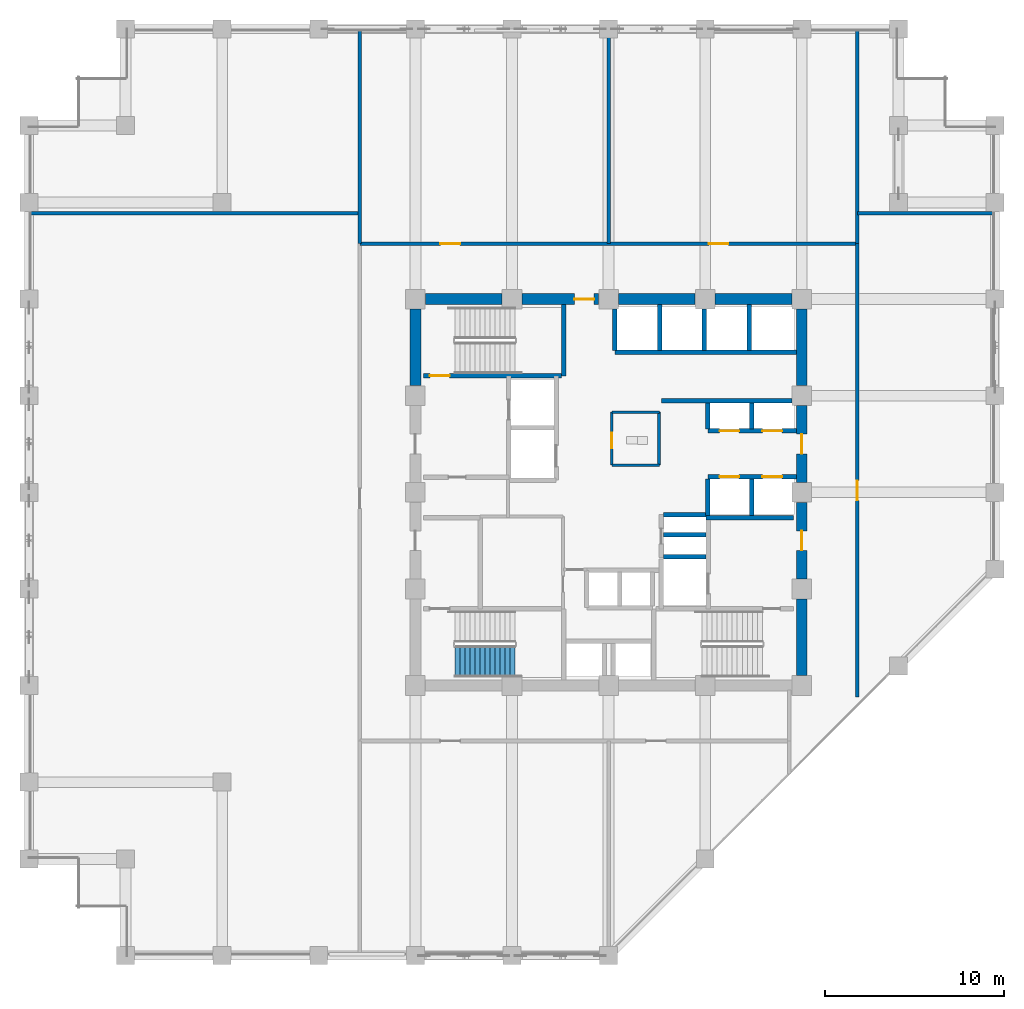
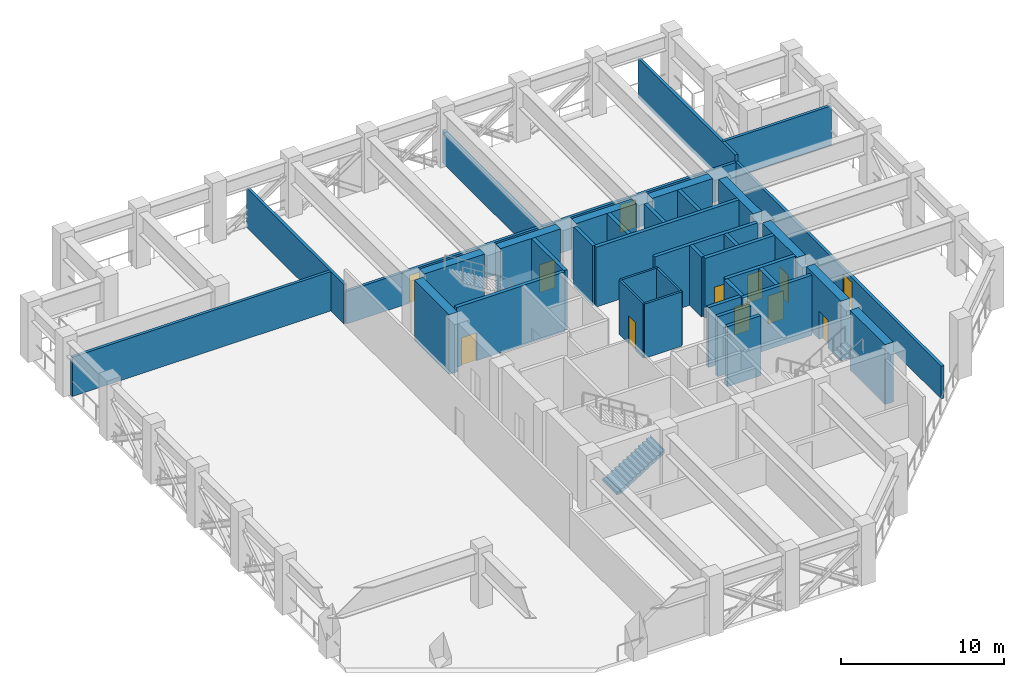
# One storey, part 6 of 12: 38 walls, 12 doors, 1 stair flight, 12 openings, 1 element without a shape of its own.
"""IFC4 building model written with IfcOpenShell, lengths in metres."""

from ifc_helpers import new_model, si_unit, direction, frame, frame_2d, origin, place, context, subcontext, project, spatial, polyline, rectangle, outline, extrude, material, layer, layer_set, type_object, element, fill, aggregate, save


model = new_model("IFC4")

# Units and contexts
model_context = context("Model", 3, precision=1e-05, world=origin(), true_north=direction((0.0, 1.0)))
body_context = subcontext(model_context, "Body", "Model", "MODEL_VIEW")
ifc_project = project(units=[si_unit("LENGTHUNIT", "METRE"), si_unit("AREAUNIT", "SQUARE_METRE"), si_unit("VOLUMEUNIT", "CUBIC_METRE"), si_unit("PLANEANGLEUNIT", "RADIAN"), si_unit("MASSUNIT", "GRAM", prefix="KILO")], contexts=[model_context])

# Site, building, storey
site_placement = place(None, origin())
site = spatial("IfcSite", under=ifc_project, at=site_placement, CompositionType="ELEMENT")
building_placement = place(site_placement, origin())
building = spatial("IfcBuilding", under=site, at=building_placement, Name="Surkhivell Harbour Commons", CompositionType="ELEMENT")
storey_placement = place(building_placement, frame((0.0, 0.0, 166.5)))
storey = spatial("IfcBuildingStorey", under=building, at=storey_placement, Name="L43", CompositionType="ELEMENT", Elevation=166.5)

# Walls
ifc_material_1 = material(Name="Concrete C60/75", Category="concrete")
ifc_layer_1 = layer(ifc_material_1, 0.60009765625)
ifc_layer_set_1 = layer_set([ifc_layer_1], Name="Concrete C60/75")
wall_type_1 = type_object("IfcWallType", Name="WAL-CORE-600", PredefinedType="SHEAR", material=ifc_layer_set_1)
for number, where, z_axis, x_axis, name in (
    (1, (-10.239990234375, 10.800048828125, 0.0), (0.0, 0.0, 1.0), (1.0, 0.0, 0.0), "L43 Core Shear Wall North 1"),
    (2, (10.800048828125, -10.239990234375, 0.0), (0.0, 0.0, 1.0), (0.0, 1.0, 0.0), "L43 Core Shear Wall East 1"),
):
    element("IfcWall", number, at=place(storey_placement, frame(where, z_axis=z_axis, x_axis=x_axis)), inside=storey, type_object=wall_type_1, Name=name, PredefinedType="SHEAR", context=body_context, shape_type="SweptSolid", body=[
        extrude(rectangle(XDim=4.280029296875, YDim=0.60009765625, at=frame_2d((2.14013671875, 0.0))), origin(), (0.0, 0.0, 1.0), 4.5),
    ])

# Wall, opening, door
wall_1_placement = place(storey_placement, frame((-4.840087890625, 10.800048828125, 0.0), z_axis=(0.0, 0.0, 1.0), x_axis=(1.0, 0.0, 0.0)))
wall_1 = element("IfcWall", 3, at=wall_1_placement, inside=storey, type_object=wall_type_1, Name="L43 Core Shear Wall North 2", PredefinedType="SHEAR", context=body_context, shape_type="SweptSolid", body=[
    extrude(rectangle(XDim=4.280029296875, YDim=0.60009765625, at=frame_2d((2.14013671875, 0.0))), origin(), (0.0, 0.0, 1.0), 4.5),
])
opening_1_placement = place(wall_1_placement, frame((2.929931640625, 0.0, 0.0)))
opening_1 = element("IfcOpeningElement", 4, at=opening_1_placement, cuts=wall_1, Name="Opening ID-2", PredefinedType="OPENING", context=body_context, shape_type="SweptSolid", body=[
    extrude(rectangle(XDim=1.10009765625, YDim=2.10009765625, at=frame_2d((0.550048828125, 1.050048828125))), frame((0.0, 0.31005859375, 0.0), z_axis=(0.0, -1.0, 0.0), x_axis=(1.0, 0.0, 0.0)), (0.0, 0.0, 1.0), 0.6201171875),
])
ifc_material_2 = material(Name="Hardwood-veneered fire-rated door leaf", Category="wood")
door_type_1 = type_object("IfcDoorType", Name="DOR-FD60-1100", OperationType="NOTDEFINED", PredefinedType="DOOR", material=ifc_material_2)
door_1_placement = place(opening_1_placement, origin())
door_1 = element("IfcDoor", 5, at=door_1_placement, inside=storey, type_object=door_type_1, Name="L43 Central Core Lift Hall North Corridor Door", OperationType="SINGLE_SWING_LEFT", OverallHeight=2.10009765625, OverallWidth=1.10009765625, PredefinedType="DOOR", context=body_context, shape_type="SweptSolid", body=[
    extrude(rectangle(XDim=1.10009765625, YDim=2.10009765625, at=frame_2d((0.550048828125, 1.050048828125))), frame((0.0, 0.02490234375, 0.0), z_axis=(0.0, -1.0, 0.0), x_axis=(1.0, 0.0, 0.0)), (0.0, 0.0, 1.0), 0.050048828125),
])
fill(opening_1, door_1)

wall_2_placement = place(storey_placement, frame((10.800048828125, -4.840087890625, 0.0), z_axis=(0.0, 0.0, 1.0), x_axis=(0.0, 1.0, 0.0)))
wall_2 = element("IfcWall", 6, at=wall_2_placement, inside=storey, type_object=wall_type_1, Name="L43 Core Shear Wall East 2", PredefinedType="SHEAR", context=body_context, shape_type="SweptSolid", body=[
    extrude(rectangle(XDim=4.280029296875, YDim=0.60009765625, at=frame_2d((2.14013671875, 0.0))), origin(), (0.0, 0.0, 1.0), 4.5),
])
opening_2_placement = place(wall_2_placement, frame((1.590087890625, 0.0, 0.0)))
opening_2 = element("IfcOpeningElement", 7, at=opening_2_placement, cuts=wall_2, Name="Opening ID-1", PredefinedType="OPENING", context=body_context, shape_type="SweptSolid", body=[
    extrude(rectangle(XDim=1.10009765625, YDim=2.10009765625, at=frame_2d((0.550048828125, 1.050048828125))), frame((0.0, 0.31005859375, 0.0), z_axis=(0.0, -1.0, 0.0), x_axis=(1.0, 0.0, 0.0)), (0.0, 0.0, 1.0), 0.6201171875),
])
door_type_2 = type_object("IfcDoorType", Name="DOR-FD120-1100", OperationType="NOTDEFINED", PredefinedType="DOOR", material=ifc_material_2)
door_2_placement = place(opening_2_placement, origin())
door_2 = element("IfcDoor", 8, at=door_2_placement, inside=storey, type_object=door_type_2, Name="L43 Firefighting Lobby 2 Corridor Door", OperationType="SINGLE_SWING_RIGHT", OverallHeight=2.10009765625, OverallWidth=1.10009765625, PredefinedType="DOOR", context=body_context, shape_type="SweptSolid", body=[
    extrude(rectangle(XDim=1.10009765625, YDim=2.10009765625, at=frame_2d((0.550048828125, 1.050048828125))), frame((0.0, 0.02490234375, 0.0), z_axis=(0.0, -1.0, 0.0), x_axis=(1.0, 0.0, 0.0)), (0.0, 0.0, 1.0), 0.050048828125),
])
fill(opening_2, door_2)

# Wall
wall_3_placement = place(storey_placement, frame((0.56005859375, 10.800048828125, 0.0), z_axis=(0.0, 0.0, 1.0), x_axis=(1.0, 0.0, 0.0)))
element("IfcWall", 9, at=wall_3_placement, inside=storey, type_object=wall_type_1, Name="L43 Core Shear Wall North 3", PredefinedType="SHEAR", context=body_context, shape_type="SweptSolid", body=[
    extrude(rectangle(XDim=4.280029296875, YDim=0.60009765625, at=frame_2d((2.14013671875, 0.0))), origin(), (0.0, 0.0, 1.0), 4.5),
])

# Wall, opening, door
wall_4_placement = place(storey_placement, frame((10.800048828125, 0.56005859375, 0.0), z_axis=(0.0, 0.0, 1.0), x_axis=(0.0, 1.0, 0.0)))
wall_4 = element("IfcWall", 10, at=wall_4_placement, inside=storey, type_object=wall_type_1, Name="L43 Core Shear Wall East 3", PredefinedType="SHEAR", context=body_context, shape_type="SweptSolid", body=[
    extrude(rectangle(XDim=4.280029296875, YDim=0.60009765625, at=frame_2d((2.14013671875, 0.0))), origin(), (0.0, 0.0, 1.0), 4.5),
])
opening_3_placement = place(wall_4_placement, frame((1.590087890625, 0.0, 0.0)))
opening_3 = element("IfcOpeningElement", 11, at=opening_3_placement, cuts=wall_4, Name="Opening ID-2", PredefinedType="OPENING", context=body_context, shape_type="SweptSolid", body=[
    extrude(rectangle(XDim=1.10009765625, YDim=2.10009765625, at=frame_2d((0.550048828125, 1.050048828125))), frame((0.0, 0.31005859375, 0.0), z_axis=(0.0, -1.0, 0.0), x_axis=(1.0, 0.0, 0.0)), (0.0, 0.0, 1.0), 0.6201171875),
])
door_3_placement = place(opening_3_placement, origin())
door_3 = element("IfcDoor", 12, at=door_3_placement, inside=storey, type_object=door_type_1, Name="L43 Mid-Rise Lobby East Door", OperationType="SINGLE_SWING_LEFT", OverallHeight=2.10009765625, OverallWidth=1.10009765625, PredefinedType="DOOR", context=body_context, shape_type="SweptSolid", body=[
    extrude(rectangle(XDim=1.10009765625, YDim=2.10009765625, at=frame_2d((0.550048828125, 1.050048828125))), frame((0.0, 0.02490234375, 0.0), z_axis=(0.0, -1.0, 0.0), x_axis=(1.0, 0.0, 0.0)), (0.0, 0.0, 1.0), 0.050048828125),
])
fill(opening_3, door_3)

# Walls
for number, where, z_axis, x_axis, name in (
    (13, (5.9599609375, 10.800048828125, 0.0), (0.0, 0.0, 1.0), (1.0, 0.0, 0.0), "L43 Core Shear Wall North 4"),
    (14, (-10.800048828125, 5.9599609375, 0.0), (0.0, 0.0, 1.0), (0.0, 1.0, 0.0), "L43 Core Shear Wall West 4"),
    (15, (10.800048828125, 5.9599609375, 0.0), (0.0, 0.0, 1.0), (0.0, 1.0, 0.0), "L43 Core Shear Wall East 4"),
):
    element("IfcWall", number, at=place(storey_placement, frame(where, z_axis=z_axis, x_axis=x_axis)), inside=storey, type_object=wall_type_1, Name=name, PredefinedType="SHEAR", context=body_context, shape_type="SweptSolid", body=[
        extrude(rectangle(XDim=4.280029296875, YDim=0.60009765625, at=frame_2d((2.14013671875, 0.0))), origin(), (0.0, 0.0, 1.0), 4.5),
    ])
ifc_material_3 = material(Name="Twin-stud acoustic fireboard partition", Category="other")
ifc_layer_2 = layer(ifc_material_3, 0.14990234375)
ifc_layer_set_2 = layer_set([ifc_layer_2], Name="Twin-stud acoustic fireboard partition")
wall_type_2 = type_object("IfcWallType", Name="WAL-INT-150", PredefinedType="PARTITIONING", material=ifc_layer_set_2)
wall_5_placement = place(storey_placement, frame((2.820068359375, 1.52001953125, 0.0), z_axis=(0.0, 0.0, 1.0), x_axis=(0.0, 1.0, 0.0)))
element("IfcWall", 16, at=wall_5_placement, inside=storey, type_object=wall_type_2, Name="L43 Core Accessible WC East Wall", PredefinedType="PARTITIONING", context=body_context, shape_type="SweptSolid", body=[
    extrude(rectangle(XDim=2.9599609375, YDim=0.14990234375, at=frame_2d((1.47998046875, 0.0))), origin(), (0.0, 0.0, 1.0), 4.080078125),
])
for number, where, z_axis, x_axis, name in (
    (17, (0.179931640625, 4.47998046875, 0.0), (0.0, 0.0, 1.0), (1.0, 0.0, 0.0), "L43 Core Accessible WC North Wall"),
    (18, (0.179931640625, 1.52001953125, 0.0), (0.0, 0.0, 1.0), (1.0, 0.0, 0.0), "L43 Core Accessible WC South Wall"),
):
    element("IfcWall", number, at=place(storey_placement, frame(where, z_axis=z_axis, x_axis=x_axis)), inside=storey, type_object=wall_type_2, Name=name, PredefinedType="PARTITIONING", context=body_context, shape_type="SweptSolid", body=[
        extrude(rectangle(XDim=2.670166015625, YDim=0.14990234375, at=frame_2d((1.3349609375, 0.0))), origin(), (0.0, 0.0, 1.0), 4.080078125),
    ])

# Wall, opening, door
wall_6_placement = place(storey_placement, frame((0.179931640625, 1.52001953125, 0.0), z_axis=(0.0, 0.0, 1.0), x_axis=(0.0, 1.0, 0.0)))
wall_6 = element("IfcWall", 19, at=wall_6_placement, inside=storey, type_object=wall_type_2, Name="L43 Core Accessible WC West Wall", PredefinedType="PARTITIONING", context=body_context, shape_type="SweptSolid", body=[
    extrude(rectangle(XDim=2.9599609375, YDim=0.14990234375, at=frame_2d((1.47998046875, 0.0))), origin(), (0.0, 0.0, 1.0), 4.080078125),
])
opening_4_placement = place(wall_6_placement, frame((0.949951171875, 0.0, 0.0)))
opening_4 = element("IfcOpeningElement", 20, at=opening_4_placement, cuts=wall_6, Name="Opening ID-6", PredefinedType="OPENING", context=body_context, shape_type="SweptSolid", body=[
    extrude(rectangle(XDim=0.85009765625, YDim=2.10009765625, at=frame_2d((0.425048828125, 1.050048828125))), frame((0.0, 0.0849609375, 0.0), z_axis=(0.0, -1.0, 0.0), x_axis=(1.0, 0.0, 0.0)), (0.0, 0.0, 1.0), 0.169921875),
])
door_type_3 = type_object("IfcDoorType", Name="DOR-FD30-850", OperationType="NOTDEFINED", PredefinedType="DOOR", material=ifc_material_2)
door_4_placement = place(opening_4_placement, origin())
door_4 = element("IfcDoor", 21, at=door_4_placement, inside=storey, type_object=door_type_3, Name="L43 Floor Accessible WC Door", OperationType="SINGLE_SWING_RIGHT", OverallHeight=2.10009765625, OverallWidth=0.85009765625, PredefinedType="DOOR", context=body_context, shape_type="SweptSolid", body=[
    extrude(rectangle(XDim=0.85009765625, YDim=2.10009765625, at=frame_2d((0.425048828125, 1.050048828125))), frame((0.0, 0.02490234375, 0.0), z_axis=(0.0, -1.0, 0.0), x_axis=(1.0, 0.0, 0.0)), (0.0, 0.0, 1.0), 0.050048828125),
])
fill(opening_4, door_4)

# Walls
ifc_material_4 = material(Name="Autoclaved aerated concrete blockwork and fire plaster", Category="masonry")
ifc_layer_3 = layer(ifc_material_4, 0.199951171875)
ifc_layer_set_3 = layer_set([ifc_layer_3], Name="Autoclaved aerated concrete blockwork and fire plaster")
wall_type_3 = type_object("IfcWallType", Name="WAL-INT-200", PredefinedType="PARTITIONING", material=ifc_layer_set_3)
wall_7_placement = place(storey_placement, frame((0.0, 13.89990234375, 0.0), z_axis=(0.0, 0.0, 1.0), x_axis=(0.0, 1.0, 0.0)))
element("IfcWall", 22, at=wall_7_placement, inside=storey, type_object=wall_type_3, Name="L43 Refuge North Plant Divider", PredefinedType="PARTITIONING", context=body_context, shape_type="SweptSolid", body=[
    extrude(rectangle(XDim=11.960205078125, YDim=0.199951171875, at=frame_2d((5.97998046875, 0.0))), origin(), (0.0, 0.0, 1.0), 2.4599609375),
])
wall_8_placement = place(storey_placement, frame((13.89990234375, 15.60009765625, 0.0), z_axis=(0.0, 0.0, 1.0), x_axis=(1.0, 0.0, 0.0)))
element("IfcWall", 23, at=wall_8_placement, inside=storey, type_object=wall_type_3, Name="L43 East Refuge North Casing Wall", PredefinedType="PARTITIONING", context=body_context, shape_type="SweptSolid", body=[
    extrude(rectangle(XDim=7.66015625, YDim=0.199951171875, at=frame_2d((3.830078125, 0.0))), origin(), (0.0, 0.0, 1.0), 2.9599609375),
])
wall_9_placement = place(storey_placement, frame((-32.360107421875, 15.60009765625, 0.0), z_axis=(0.0, 0.0, 1.0), x_axis=(1.0, 0.0, 0.0)))
element("IfcWall", 24, at=wall_9_placement, inside=storey, type_object=wall_type_3, Name="L43 West Refuge North Casing Wall", PredefinedType="PARTITIONING", context=body_context, shape_type="SweptSolid", body=[
    extrude(rectangle(XDim=18.460205078125, YDim=0.199951171875, at=frame_2d((9.22998046875, 0.0))), origin(), (0.0, 0.0, 1.0), 2.9599609375),
])

# Wall, opening, door
wall_10_placement = place(storey_placement, frame((13.89990234375, -11.449951171875, 0.0), z_axis=(0.0, 0.0, 1.0), x_axis=(0.0, 1.0, 0.0)))
wall_10 = element("IfcWall", 25, at=wall_10_placement, inside=storey, type_object=wall_type_3, Name="L43 Corridor East Wall", PredefinedType="PARTITIONING", context=body_context, shape_type="SweptSolid", body=[
    extrude(rectangle(XDim=25.349853515625, YDim=0.199951171875, at=frame_2d((12.6748046875, 0.0))), origin(), (0.0, 0.0, 1.0), 2.4599609375),
])
opening_5_placement = place(wall_10_placement, frame((11.0, 0.0, 0.0)))
opening_5 = element("IfcOpeningElement", 26, at=opening_5_placement, cuts=wall_10, Name="Opening ID-2", PredefinedType="OPENING", context=body_context, shape_type="SweptSolid", body=[
    extrude(rectangle(XDim=1.10009765625, YDim=2.10009765625, at=frame_2d((0.550048828125, 1.050048828125))), frame((0.0, 0.10986328125, 0.0), z_axis=(0.0, -1.0, 0.0), x_axis=(1.0, 0.0, 0.0)), (0.0, 0.0, 1.0), 0.219970703125),
])
door_5_placement = place(opening_5_placement, origin())
door_5 = element("IfcDoor", 27, at=door_5_placement, inside=storey, type_object=door_type_1, Name="L43 East Harbour Open Refuge Area Door", OperationType="SINGLE_SWING_LEFT", OverallHeight=2.10009765625, OverallWidth=1.10009765625, PredefinedType="DOOR", context=body_context, shape_type="SweptSolid", body=[
    extrude(rectangle(XDim=1.10009765625, YDim=2.10009765625, at=frame_2d((0.550048828125, 1.050048828125))), frame((0.0, 0.02490234375, 0.0), z_axis=(0.0, -1.0, 0.0), x_axis=(1.0, 0.0, 0.0)), (0.0, 0.0, 1.0), 0.050048828125),
])
fill(opening_5, door_5)

# Wall, openings, doors
wall_11_placement = place(storey_placement, frame((-13.89990234375, 13.89990234375, 0.0), z_axis=(0.0, 0.0, 1.0), x_axis=(1.0, 0.0, 0.0)))
wall_11 = element("IfcWall", 28, at=wall_11_placement, inside=storey, type_object=wall_type_3, Name="L43 Corridor North Wall", PredefinedType="PARTITIONING", context=body_context, shape_type="SweptSolid", body=[
    extrude(rectangle(XDim=27.7998046875, YDim=0.199951171875, at=frame_2d((13.89990234375, 0.0))), origin(), (0.0, 0.0, 1.0), 2.4599609375),
])
opening_6_placement = place(wall_11_placement, frame((4.5, 0.0, 0.0)))
opening_6 = element("IfcOpeningElement", 29, at=opening_6_placement, cuts=wall_11, Name="Opening ID-2", PredefinedType="OPENING", context=body_context, shape_type="SweptSolid", body=[
    extrude(rectangle(XDim=1.10009765625, YDim=2.10009765625, at=frame_2d((0.550048828125, 1.050048828125))), frame((0.0, 0.10986328125, 0.0), z_axis=(0.0, -1.0, 0.0), x_axis=(1.0, 0.0, 0.0)), (0.0, 0.0, 1.0), 0.219970703125),
])
opening_7_placement = place(wall_11_placement, frame((19.5, 0.0, 0.0)))
opening_7 = element("IfcOpeningElement", 30, at=opening_7_placement, cuts=wall_11, Name="Opening ID-2", PredefinedType="OPENING", context=body_context, shape_type="SweptSolid", body=[
    extrude(rectangle(XDim=1.10009765625, YDim=2.10009765625, at=frame_2d((0.550048828125, 1.050048828125))), frame((0.0, 0.10986328125, 0.0), z_axis=(0.0, -1.0, 0.0), x_axis=(1.0, 0.0, 0.0)), (0.0, 0.0, 1.0), 0.219970703125),
])
door_6_placement = place(opening_6_placement, origin())
door_6 = element("IfcDoor", 31, at=door_6_placement, inside=storey, type_object=door_type_1, Name="L43 Zone Air Handling Mechanical Plant Door", OperationType="SINGLE_SWING_RIGHT", OverallHeight=2.10009765625, OverallWidth=1.10009765625, PredefinedType="DOOR", context=body_context, shape_type="SweptSolid", body=[
    extrude(rectangle(XDim=1.10009765625, YDim=2.10009765625, at=frame_2d((0.550048828125, 1.050048828125))), frame((0.0, 0.02490234375, 0.0), z_axis=(0.0, -1.0, 0.0), x_axis=(1.0, 0.0, 0.0)), (0.0, 0.0, 1.0), 0.050048828125),
])
fill(opening_6, door_6)
door_7_placement = place(opening_7_placement, origin())
door_7 = element("IfcDoor", 32, at=door_7_placement, inside=storey, type_object=door_type_1, Name="L43 Intermediate Heat-Exchanger Chiller Plant Door", OperationType="SINGLE_SWING_LEFT", OverallHeight=2.10009765625, OverallWidth=1.10009765625, PredefinedType="DOOR", context=body_context, shape_type="SweptSolid", body=[
    extrude(rectangle(XDim=1.10009765625, YDim=2.10009765625, at=frame_2d((0.550048828125, 1.050048828125))), frame((0.0, 0.02490234375, 0.0), z_axis=(0.0, -1.0, 0.0), x_axis=(1.0, 0.0, 0.0)), (0.0, 0.0, 1.0), 0.050048828125),
])
fill(opening_7, door_7)

# Walls
for number, where, z_axis, x_axis, name in (
    (33, (13.89990234375, 13.89990234375, 0.0), (0.0, 0.0, 1.0), (0.0, 1.0, 0.0), "L43 Corner NE Divider"),
    (34, (-13.89990234375, 13.89990234375, 0.0), (0.0, 0.0, 1.0), (0.0, 1.0, 0.0), "L43 Corner NW Divider"),
):
    element("IfcWall", number, at=place(storey_placement, frame(where, z_axis=z_axis, x_axis=x_axis)), inside=storey, type_object=wall_type_3, Name=name, PredefinedType="PARTITIONING", context=body_context, shape_type="SweptSolid", body=[
        extrude(rectangle(XDim=11.960205078125, YDim=0.199951171875, at=frame_2d((5.97998046875, 0.0))), origin(), (0.0, 0.0, 1.0), 2.9599609375),
    ])
ifc_material_5 = material(Name="Concrete C50/60", Category="concrete")
ifc_layer_4 = layer(ifc_material_5, 0.25)
ifc_layer_set_4 = layer_set([ifc_layer_4], Name="Concrete C50/60")
wall_type_4 = type_object("IfcWallType", Name="WAL-SHAFT-250", PredefinedType="SHEAR", material=ifc_layer_set_4)
wall_12_placement = place(storey_placement, frame((5.43994140625, -1.419921875, 0.0), z_axis=(0.0, 0.0, 1.0), x_axis=(1.0, 0.0, 0.0)))
element("IfcWall", 35, at=wall_12_placement, inside=storey, type_object=wall_type_4, Name="L43 Firefighting Lobby 2 North Wall", PredefinedType="SHEAR", context=body_context, shape_type="SweptSolid", body=[
    extrude(rectangle(XDim=4.900146484375, YDim=0.25, at=frame_2d((2.4501953125, 0.0))), origin(), (0.0, 0.0, 1.0), 4.5),
])
wall_13_placement = place(storey_placement, frame((3.080078125, -3.60009765625, 0.0), z_axis=(0.0, 0.0, 1.0), x_axis=(1.0, 0.0, 0.0)))
element("IfcWall", 36, at=wall_13_placement, inside=storey, type_object=wall_type_4, Name="L43 FFL2 North Shaft Wall", PredefinedType="SHEAR", context=body_context, shape_type="SweptSolid", body=[
    extrude(rectangle(XDim=2.369873046875, YDim=0.25, at=frame_2d((1.18505859375, 0.0))), origin(), (0.0, 0.0, 1.0), 4.5),
])
wall_14_placement = place(storey_placement, frame((2.85009765625, 7.93994140625, 0.0), z_axis=(0.0, 0.0, 1.0), x_axis=(0.0, 1.0, 0.0)))
element("IfcWall", 37, at=wall_14_placement, inside=storey, type_object=wall_type_4, Name="L43 Low-Rise Hoistway Wall", PredefinedType="SHEAR", context=body_context, shape_type="SweptSolid", body=[
    extrude(rectangle(XDim=2.56005859375, YDim=0.25, at=frame_2d((1.280029296875, 0.0))), origin(), (0.0, 0.0, 1.0), 4.5),
])
for number, where, z_axis, x_axis, name in (
    (38, (0.35009765625, 7.93994140625, 0.0), (0.0, 0.0, 1.0), (0.0, 1.0, 0.0), "L43 Low-Rise Hoistway Wall"),
    (39, (5.35009765625, 7.93994140625, 0.0), (0.0, 0.0, 1.0), (0.0, 1.0, 0.0), "L43 Low-Rise Hoistway Wall"),
):
    element("IfcWall", number, at=place(storey_placement, frame(where, z_axis=z_axis, x_axis=x_axis)), inside=storey, type_object=wall_type_4, Name=name, PredefinedType="SHEAR", context=body_context, shape_type="SweptSolid", body=[
        extrude(rectangle(XDim=2.31005859375, YDim=0.25, at=frame_2d((1.155029296875, 0.0))), origin(), (0.0, 0.0, 1.0), 4.5),
    ])
wall_15_placement = place(storey_placement, frame((7.85009765625, 7.93994140625, 0.0), z_axis=(0.0, 0.0, 1.0), x_axis=(0.0, 1.0, 0.0)))
element("IfcWall", 40, at=wall_15_placement, inside=storey, type_object=wall_type_4, Name="L43 Low-Rise Hoistway Wall", PredefinedType="SHEAR", context=body_context, shape_type="SweptSolid", body=[
    extrude(rectangle(XDim=2.56005859375, YDim=0.25, at=frame_2d((1.280029296875, 0.0))), origin(), (0.0, 0.0, 1.0), 4.5),
])
wall_16_placement = place(storey_placement, frame((0.35009765625, 7.820068359375, 0.0), z_axis=(0.0, 0.0, 1.0), x_axis=(1.0, 0.0, 0.0)))
element("IfcWall", 41, at=wall_16_placement, inside=storey, type_object=wall_type_4, Name="L43 Low-Rise Lift Front Shaft Wall", PredefinedType="SHEAR", context=body_context, shape_type="SweptSolid", body=[
    extrude(rectangle(XDim=10.14990234375, YDim=0.25, at=frame_2d((5.074951171875, 0.0))), origin(), (0.0, 0.0, 1.0), 4.5),
])
wall_17_placement = place(storey_placement, frame((2.949951171875, 5.1201171875, 0.0), z_axis=(0.0, 0.0, 1.0), x_axis=(1.0, 0.0, 0.0)))
element("IfcWall", 42, at=wall_17_placement, inside=storey, type_object=wall_type_4, Name="L43 Low-Rise Lobby South Wall", PredefinedType="SHEAR", context=body_context, shape_type="SweptSolid", body=[
    extrude(rectangle(XDim=7.300048828125, YDim=0.25, at=frame_2d((3.64990234375, 0.0))), origin(), (0.0, 0.0, 1.0), 4.5),
])
for number, where, z_axis, x_axis, name in (
    (43, (5.550048828125, 3.550048828125, 0.0), (0.0, 0.0, 1.0), (0.0, 1.0, 0.0), "L43 Mid-Rise Shaft Side Wall N"),
    (44, (8.0, 3.550048828125, 0.0), (0.0, 0.0, 1.0), (0.0, 1.0, 0.0), "L43 Mid-Rise Shaft Side Wall N"),
):
    element("IfcWall", number, at=place(storey_placement, frame(where, z_axis=z_axis, x_axis=x_axis)), inside=storey, type_object=wall_type_4, Name=name, PredefinedType="SHEAR", context=body_context, shape_type="SweptSolid", body=[
        extrude(rectangle(XDim=1.449951171875, YDim=0.25, at=frame_2d((0.72509765625, 0.0))), origin(), (0.0, 0.0, 1.0), 4.5),
    ])
for number, where, z_axis, x_axis, name in (
    (45, (5.550048828125, -1.300048828125, 0.0), (0.0, 0.0, 1.0), (0.0, 1.0, 0.0), "L43 Mid-Rise Shaft Side Wall S"),
    (46, (8.0, -1.300048828125, 0.0), (0.0, 0.0, 1.0), (0.0, 1.0, 0.0), "L43 Mid-Rise Shaft Side Wall S"),
):
    element("IfcWall", number, at=place(storey_placement, frame(where, z_axis=z_axis, x_axis=x_axis)), inside=storey, type_object=wall_type_4, Name=name, PredefinedType="SHEAR", context=body_context, shape_type="SweptSolid", body=[
        extrude(rectangle(XDim=2.0400390625, YDim=0.25, at=frame_2d((1.02001953125, 0.0))), origin(), (0.0, 0.0, 1.0), 4.5),
    ])

# Wall, openings, doors
wall_18_placement = place(storey_placement, frame((5.550048828125, 3.429931640625, 0.0), z_axis=(0.0, 0.0, 1.0), x_axis=(1.0, 0.0, 0.0)))
wall_18 = element("IfcWall", 47, at=wall_18_placement, inside=storey, type_object=wall_type_4, Name="L43 Mid-Rise North Front Shaft Wall", PredefinedType="SHEAR", context=body_context, shape_type="SweptSolid", body=[
    extrude(rectangle(XDim=4.949951171875, YDim=0.25, at=frame_2d((2.47509765625, 0.0))), origin(), (0.0, 0.0, 1.0), 4.5),
])
opening_8_placement = place(wall_18_placement, frame((0.64990234375, 0.0, 0.0)))
opening_8 = element("IfcOpeningElement", 48, at=opening_8_placement, cuts=wall_18, Name="Opening LD-1", PredefinedType="OPENING", context=body_context, shape_type="SweptSolid", body=[
    extrude(rectangle(XDim=1.10009765625, YDim=2.10009765625, at=frame_2d((0.550048828125, 1.050048828125))), frame((0.0, 0.135009765625, 0.0), z_axis=(0.0, -1.0, 0.0), x_axis=(1.0, 0.0, 0.0)), (0.0, 0.0, 1.0), 0.27001953125),
])
opening_9_placement = place(wall_18_placement, frame((3.050048828125, 0.0, 0.0)))
opening_9 = element("IfcOpeningElement", 49, at=opening_9_placement, cuts=wall_18, Name="Opening LD-1", PredefinedType="OPENING", context=body_context, shape_type="SweptSolid", body=[
    extrude(rectangle(XDim=1.10009765625, YDim=2.10009765625, at=frame_2d((0.550048828125, 1.050048828125))), frame((0.0, 0.135009765625, 0.0), z_axis=(0.0, -1.0, 0.0), x_axis=(1.0, 0.0, 0.0)), (0.0, 0.0, 1.0), 0.27001953125),
])
ifc_material_6 = material(Name="Brushed stainless steel S355", Category="steel")
door_type_4 = type_object("IfcDoorType", Name="DOR-LD-1100", OperationType="SLIDING_TO_LEFT", PredefinedType="DOOR", material=ifc_material_6)
door_8_placement = place(opening_8_placement, origin())
door_8 = element("IfcDoor", 50, at=door_8_placement, inside=storey, type_object=door_type_4, Name="L43 Lift Landing Door LD-PM1", OperationType="SLIDING_TO_RIGHT", OverallHeight=2.10009765625, OverallWidth=1.10009765625, PredefinedType="DOOR", context=body_context, shape_type="SweptSolid", body=[
    extrude(rectangle(XDim=1.10009765625, YDim=2.10009765625, at=frame_2d((0.550048828125, 1.050048828125))), frame((0.0, 0.02490234375, 0.0), z_axis=(0.0, -1.0, 0.0), x_axis=(1.0, 0.0, 0.0)), (0.0, 0.0, 1.0), 0.050048828125),
])
fill(opening_8, door_8)
door_9_placement = place(opening_9_placement, origin())
door_9 = element("IfcDoor", 51, at=door_9_placement, inside=storey, type_object=door_type_4, Name="L43 Lift Landing Door LD-PM2", OperationType="SLIDING_TO_RIGHT", OverallHeight=2.10009765625, OverallWidth=1.10009765625, PredefinedType="DOOR", context=body_context, shape_type="SweptSolid", body=[
    extrude(rectangle(XDim=1.10009765625, YDim=2.10009765625, at=frame_2d((0.550048828125, 1.050048828125))), frame((0.0, 0.02490234375, 0.0), z_axis=(0.0, -1.0, 0.0), x_axis=(1.0, 0.0, 0.0)), (0.0, 0.0, 1.0), 0.050048828125),
])
fill(opening_9, door_9)

wall_19_placement = place(storey_placement, frame((5.550048828125, 0.8701171875, 0.0), z_axis=(0.0, 0.0, 1.0), x_axis=(1.0, 0.0, 0.0)))
wall_19 = element("IfcWall", 52, at=wall_19_placement, inside=storey, type_object=wall_type_4, Name="L43 Mid-Rise South Front Shaft Wall", PredefinedType="SHEAR", context=body_context, shape_type="SweptSolid", body=[
    extrude(rectangle(XDim=4.949951171875, YDim=0.25, at=frame_2d((2.47509765625, 0.0))), origin(), (0.0, 0.0, 1.0), 4.5),
])
opening_10_placement = place(wall_19_placement, frame((0.64990234375, 0.0, 0.0)))
opening_10 = element("IfcOpeningElement", 53, at=opening_10_placement, cuts=wall_19, Name="Opening LD-1", PredefinedType="OPENING", context=body_context, shape_type="SweptSolid", body=[
    extrude(rectangle(XDim=1.10009765625, YDim=2.10009765625, at=frame_2d((0.550048828125, 1.050048828125))), frame((0.0, 0.135009765625, 0.0), z_axis=(0.0, -1.0, 0.0), x_axis=(1.0, 0.0, 0.0)), (0.0, 0.0, 1.0), 0.27001953125),
])
opening_11_placement = place(wall_19_placement, frame((3.050048828125, 0.0, 0.0)))
opening_11 = element("IfcOpeningElement", 54, at=opening_11_placement, cuts=wall_19, Name="Opening LD-1", PredefinedType="OPENING", context=body_context, shape_type="SweptSolid", body=[
    extrude(rectangle(XDim=1.10009765625, YDim=2.10009765625, at=frame_2d((0.550048828125, 1.050048828125))), frame((0.0, 0.135009765625, 0.0), z_axis=(0.0, -1.0, 0.0), x_axis=(1.0, 0.0, 0.0)), (0.0, 0.0, 1.0), 0.27001953125),
])
door_10_placement = place(opening_10_placement, origin())
door_10 = element("IfcDoor", 55, at=door_10_placement, inside=storey, type_object=door_type_4, Name="L43 Lift Landing Door LD-PM3", OperationType="SLIDING_TO_RIGHT", OverallHeight=2.10009765625, OverallWidth=1.10009765625, PredefinedType="DOOR", context=body_context, shape_type="SweptSolid", body=[
    extrude(rectangle(XDim=1.10009765625, YDim=2.10009765625, at=frame_2d((0.550048828125, 1.050048828125))), frame((0.0, 0.02490234375, 0.0), z_axis=(0.0, -1.0, 0.0), x_axis=(1.0, 0.0, 0.0)), (0.0, 0.0, 1.0), 0.050048828125),
])
fill(opening_10, door_10)
door_11_placement = place(opening_11_placement, origin())
door_11 = element("IfcDoor", 56, at=door_11_placement, inside=storey, type_object=door_type_4, Name="L43 Lift Landing Door LD-PM4", OperationType="SLIDING_TO_RIGHT", OverallHeight=2.10009765625, OverallWidth=1.10009765625, PredefinedType="DOOR", context=body_context, shape_type="SweptSolid", body=[
    extrude(rectangle(XDim=1.10009765625, YDim=2.10009765625, at=frame_2d((0.550048828125, 1.050048828125))), frame((0.0, 0.02490234375, 0.0), z_axis=(0.0, -1.0, 0.0), x_axis=(1.0, 0.0, 0.0)), (0.0, 0.0, 1.0), 0.050048828125),
])
fill(opening_11, door_11)

# Walls
for number, where, z_axis, x_axis, name in (
    (57, (3.080078125, -2.3798828125, 0.0), (0.0, 0.0, 1.0), (1.0, 0.0, 0.0), "L43 Riser Divider Wall"),
    (58, (3.080078125, -1.25, 0.0), (0.0, 0.0, 1.0), (1.0, 0.0, 0.0), "L43 Riser North Wall"),
):
    element("IfcWall", number, at=place(storey_placement, frame(where, z_axis=z_axis, x_axis=x_axis)), inside=storey, type_object=wall_type_4, Name=name, PredefinedType="SHEAR", context=body_context, shape_type="SweptSolid", body=[
        extrude(rectangle(XDim=2.369873046875, YDim=0.25, at=frame_2d((1.18505859375, 0.0))), origin(), (0.0, 0.0, 1.0), 4.5),
    ])
wall_20_placement = place(storey_placement, frame((-2.510009765625, 6.510009765625, 0.0), z_axis=(0.0, 0.0, 1.0), x_axis=(0.0, 1.0, 0.0)))
element("IfcWall", 59, at=wall_20_placement, inside=storey, type_object=wall_type_4, Name="L43 Stair ST1 East Shear Wall", PredefinedType="SHEAR", context=body_context, shape_type="SweptSolid", body=[
    extrude(rectangle(XDim=3.989990234375, YDim=0.25, at=frame_2d((1.9951171875, 0.0))), origin(), (0.0, 0.0, 1.0), 4.5),
])

# Wall, opening, door
wall_21_placement = place(storey_placement, frame((-10.340087890625, 6.510009765625, 0.0), z_axis=(0.0, 0.0, 1.0), x_axis=(1.0, 0.0, 0.0)))
wall_21 = element("IfcWall", 60, at=wall_21_placement, inside=storey, type_object=wall_type_4, Name="L43 Stair ST1 South Shear Wall", PredefinedType="SHEAR", context=body_context, shape_type="SweptSolid", body=[
    extrude(rectangle(XDim=7.7001953125, YDim=0.25, at=frame_2d((3.85009765625, 0.0))), origin(), (0.0, 0.0, 1.0), 4.5),
])
opening_12_placement = place(wall_21_placement, frame((0.35009765625, 0.0, 0.0)))
opening_12 = element("IfcOpeningElement", 61, at=opening_12_placement, cuts=wall_21, Name="Opening ID-2", PredefinedType="OPENING", context=body_context, shape_type="SweptSolid", body=[
    extrude(rectangle(XDim=1.10009765625, YDim=2.10009765625, at=frame_2d((0.550048828125, 1.050048828125))), frame((0.0, 0.135009765625, 0.0), z_axis=(0.0, -1.0, 0.0), x_axis=(1.0, 0.0, 0.0)), (0.0, 0.0, 1.0), 0.27001953125),
])
door_12_placement = place(opening_12_placement, origin())
door_12 = element("IfcDoor", 62, at=door_12_placement, inside=storey, type_object=door_type_1, Name="L43 Stair ST1 Exit Door", OperationType="SINGLE_SWING_LEFT", OverallHeight=2.10009765625, OverallWidth=1.10009765625, PredefinedType="DOOR", context=body_context, shape_type="SweptSolid", body=[
    extrude(rectangle(XDim=1.10009765625, YDim=2.10009765625, at=frame_2d((0.550048828125, 1.050048828125))), frame((0.0, 0.02490234375, 0.0), z_axis=(0.0, -1.0, 0.0), x_axis=(1.0, 0.0, 0.0)), (0.0, 0.0, 1.0), 0.050048828125),
])
fill(opening_12, door_12)

# Stair, stair flight
ifc_material_7 = material(Name="Precast concrete C45/55", Category="concrete")
stair_type = type_object("IfcStairType", Name="STR-DL-450", PredefinedType="HALF_TURN_STAIR", material=ifc_material_7)
stair_placement = place(storey_placement, origin())
stair = element("IfcStair", 63, at=stair_placement, inside=storey, type_object=stair_type, Name="L43 Core Exit Stair ST3", PredefinedType="HALF_TURN_STAIR")
stair_flight_type = type_object("IfcStairFlightType", Name="STF-DL-450", PredefinedType="STRAIGHT", material=ifc_material_7)
stair_flight_placement = place(storey_placement, frame((-8.590087890625, -9.465087890625, 0.0), z_axis=(0.0, 0.0, 1.0), x_axis=(1.0, 0.0, 0.0)))
stair_flight = element("IfcStairFlight", 64, at=stair_flight_placement, type_object=stair_flight_type, Name="ST3 flight 1", NumberOfRisers=13, NumberOfTreads=12, PredefinedType="STRAIGHT", RiserHeight=0.173076923, TreadLength=0.28, context=body_context, shape_type="SweptSolid", body=[
    extrude(outline(polyline([(-0.0029296875, -0.034912109375), (-0.0029296875, 0.0), (0.0, 0.0), (0.0, 0.173095703125), (0.280029296875, 0.173095703125), (0.280029296875, 0.34619140625), (0.56005859375, 0.34619140625), (0.56005859375, 0.519287109375), (0.840087890625, 0.519287109375), (0.840087890625, 0.6923828125), (1.1201171875, 0.6923828125), (1.1201171875, 0.865478515625), (1.39990234375, 0.865478515625), (1.39990234375, 1.03857421875), (1.679931640625, 1.03857421875), (1.679931640625, 1.21142578125), (1.9599609375, 1.21142578125), (1.9599609375, 1.384521484375), (2.239990234375, 1.384521484375), (2.239990234375, 1.5576171875), (2.52001953125, 1.5576171875), (2.52001953125, 1.730712890625), (2.800048828125, 1.730712890625), (2.800048828125, 1.90380859375), (3.080078125, 1.90380859375), (3.080078125, 2.076904296875), (3.360107421875, 2.076904296875), (3.360107421875, 2.25), (3.363037109375, 2.25), (3.363037109375, 1.900634765625), (0.28515625, -0.034912109375), (-0.0029296875, -0.034912109375)])), frame((0.0, 0.875, 0.0), z_axis=(0.0, -1.0, 0.0), x_axis=(1.0, 0.0, 0.0)), (0.0, 0.0, 1.0), 1.75),
])
aggregate(stair, [stair_flight])

save(model, "model.ifc")
